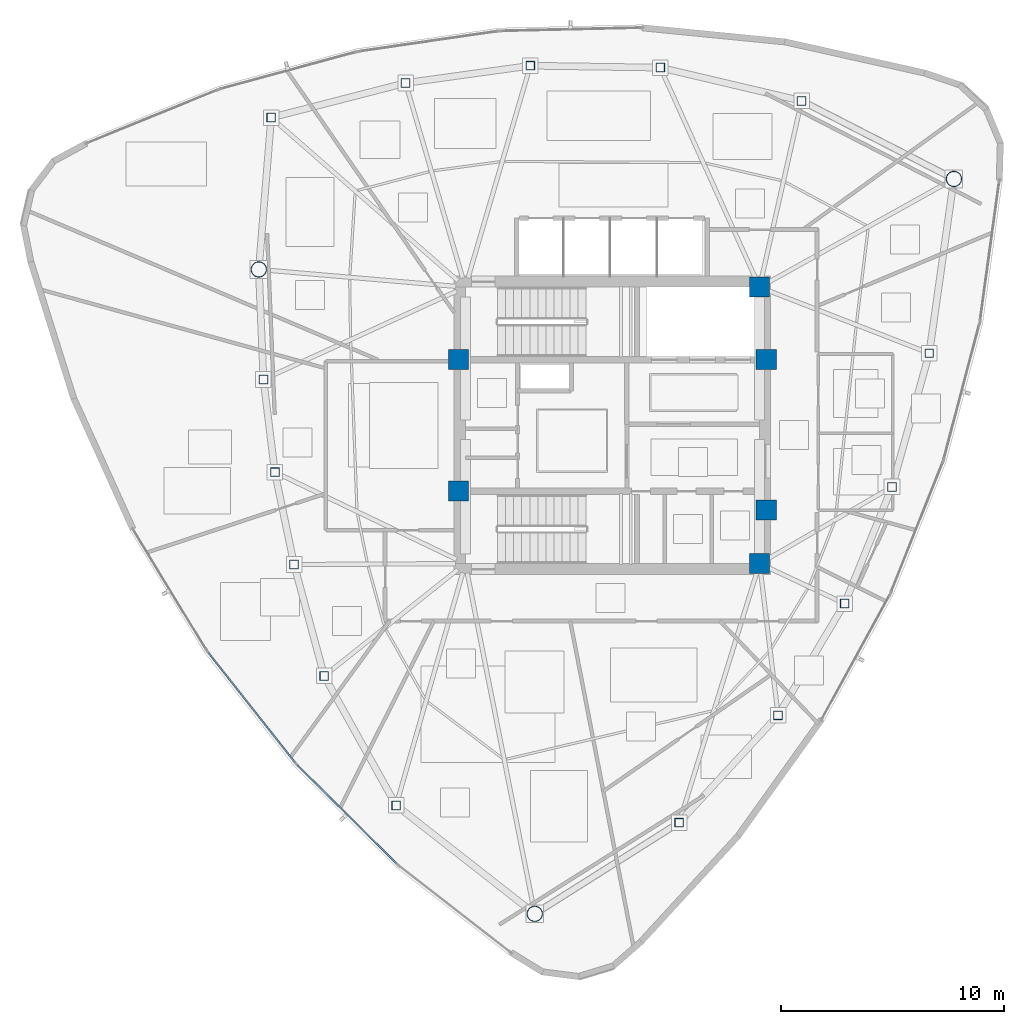
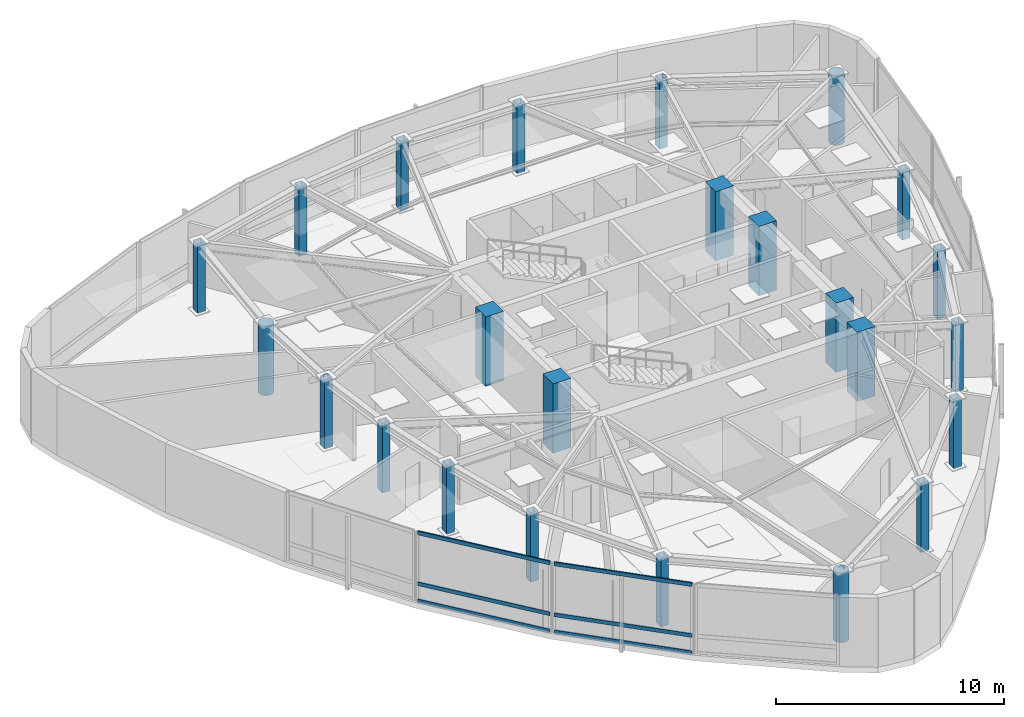
# One storey, part 1 of 12: 24 columns, 6 members, 2 elements without a shape of their own.
"""IFC4 building model written with IfcOpenShell, lengths in metres."""

from ifc_helpers import new_model, si_unit, direction, frame, origin, origin_2d, place, context, subcontext, project, spatial, rectangle, hollow_rectangle, hollow_circle, extrude, source, transform, mapped, material, layer, layer_set, material_profile, profile_set, type_object, type_shapes, element, aggregate, save


model = new_model("IFC4")

# Units and contexts
model_context = context("Model", 3, precision=1e-05, world=origin(), true_north=direction((0.0, 1.0)))
body_context = subcontext(model_context, "Body", "Model", "MODEL_VIEW")
ifc_project = project(units=[si_unit("LENGTHUNIT", "METRE"), si_unit("AREAUNIT", "SQUARE_METRE"), si_unit("VOLUMEUNIT", "CUBIC_METRE"), si_unit("PLANEANGLEUNIT", "RADIAN"), si_unit("MASSUNIT", "GRAM", prefix="KILO")], contexts=[model_context])

# Site, building, storey
site_placement = place(None, origin())
site = spatial("IfcSite", under=ifc_project, at=site_placement, CompositionType="ELEMENT")
building_placement = place(site_placement, origin())
building = spatial("IfcBuilding", under=site, at=building_placement, Name="Tavelor Broadcast Tower", CompositionType="ELEMENT")
storey_placement = place(building_placement, frame((0.0, 0.0, 317.5)))
storey = spatial("IfcBuildingStorey", under=building, at=storey_placement, Name="L76", CompositionType="ELEMENT", Elevation=317.5)

# Columns
ifc_material_1 = material(Name="Concrete C50/60", Category="concrete")
ifc_material_profile_1 = material_profile(ifc_material_1, rectangle(XDim=0.89990234375, YDim=0.89990234375, at=origin_2d()), Name="RC 900x900")
ifc_profile_set_1 = profile_set([ifc_material_profile_1], Name="Concrete C50/60")
column_type_1 = type_object("IfcColumnType", Name="Core Embedded Composite Column RC900", PredefinedType="COLUMN", material=ifc_profile_set_1)
for number, where, z_axis, x_axis, name in (
    (1, (43.10009765625, 47.949951171875, 0.0), (0.0, 0.0, 1.0), (1.0, 0.0, 0.0), "L76 Core Embedded Column 1"),
    (2, (56.89990234375, 47.949951171875, 0.0), (0.0, 0.0, 1.0), (1.0, 0.0, 0.0), "L76 Core Embedded Column 2"),
    (3, (56.60009765625, 51.199951171875, 0.0), (0.0, 0.0, 1.0), (1.0, 0.0, 0.0), "L76 Core Embedded Column 3"),
    (4, (43.10009765625, 42.050048828125, 0.0), (0.0, 0.0, 1.0), (1.0, 0.0, 0.0), "L76 Core Embedded Column 4"),
    (5, (56.89990234375, 41.199951171875, 0.0), (0.0, 0.0, 1.0), (1.0, 0.0, 0.0), "L76 Core Embedded Column 5"),
    (6, (56.60009765625, 38.800048828125, 0.0), (0.0, 0.0, 1.0), (1.0, 0.0, 0.0), "L76 Core Embedded Column 6"),
):
    element("IfcColumn", number, at=place(storey_placement, frame(where, z_axis=z_axis, x_axis=x_axis)), inside=storey, type_object=column_type_1, Name=name, PredefinedType="COLUMN", context=body_context, shape_type="SweptSolid", body=[
        extrude(rectangle(XDim=0.89990234375, YDim=0.89990234375, at=origin_2d()), origin(), (0.0, 0.0, 1.0), 3.699951171875),
    ])
ifc_material_2 = material(Name="Steel S460", Category="steel")
ifc_material_profile_2 = material_profile(ifc_material_2, hollow_rectangle(XDim=0.39990234375, YDim=0.39990234375, WallThickness=0.02490234375, at=origin_2d()), Name="SHS 400x400x25")
ifc_profile_set_2 = profile_set([ifc_material_profile_2], Name="Steel S460")
column_type_2 = type_object("IfcColumnType", Name="Perimeter Tube Column T8 SHS 400x400x25", PredefinedType="COLUMN", material=ifc_profile_set_2)
for number, where, z_axis, x_axis, name in (
    (7, (34.341552734375, 47.061279296875, 0.0), (0.0, 0.0, 1.0), (1.0, 0.0, 0.0), "L76 Perimeter Framed-Tube Column 02"),
    (8, (34.85400390625, 42.90185546875, 0.0), (0.0, 0.0, 1.0), (1.0, 0.0, 0.0), "L76 Perimeter Framed-Tube Column 03"),
    (9, (35.716552734375, 38.757080078125, 0.0), (0.0, 0.0, 1.0), (1.0, 0.0, 0.0), "L76 Perimeter Framed-Tube Column 04"),
    (10, (37.068115234375, 33.759521484375, 0.0), (0.0, 0.0, 1.0), (1.0, 0.0, 0.0), "L76 Perimeter Framed-Tube Column 05"),
    (11, (40.29638671875, 27.95361328125, 0.0), (0.0, 0.0, 1.0), (1.0, 0.0, 0.0), "L76 Perimeter Framed-Tube Column 06"),
    (12, (52.992919921875, 27.1767578125, 0.0), (0.0, 0.0, 1.0), (1.0, 0.0, 0.0), "L76 Perimeter Framed-Tube Column 08"),
    (13, (57.431396484375, 31.9921875, 0.0), (0.0, 0.0, 1.0), (1.0, 0.0, 0.0), "L76 Perimeter Framed-Tube Column 09"),
    (14, (60.41748046875, 37.00439453125, 0.0), (0.0, 0.0, 1.0), (1.0, 0.0, 0.0), "L76 Perimeter Framed-Tube Column 10"),
    (15, (62.543701171875, 42.240478515625, 0.0), (0.0, 0.0, 1.0), (1.0, 0.0, 0.0), "L76 Perimeter Framed-Tube Column 11"),
    (16, (64.21435546875, 48.2373046875, 0.0), (0.0, 0.0, 1.0), (1.0, 0.0, 0.0), "L76 Perimeter Framed-Tube Column 12"),
    (17, (58.485595703125, 59.55712890625, 0.0), (0.0, 0.0, 1.0), (1.0, 0.0, 0.0), "L76 Perimeter Framed-Tube Column 14"),
    (18, (52.147216796875, 61.05078125, 0.0), (0.0, 0.0, 1.0), (1.0, 0.0, 0.0), "L76 Perimeter Framed-Tube Column 15"),
    (19, (46.3154296875, 61.13720703125, 0.0), (0.0, 0.0, 1.0), (1.0, 0.0, 0.0), "L76 Perimeter Framed-Tube Column 16"),
    (20, (40.718017578125, 60.36083984375, 0.0), (0.0, 0.0, 1.0), (1.0, 0.0, 0.0), "L76 Perimeter Framed-Tube Column 17"),
    (21, (34.689208984375, 58.80908203125, 0.0), (0.0, 0.0, 1.0), (1.0, 0.0, 0.0), "L76 Perimeter Framed-Tube Column 18"),
):
    element("IfcColumn", number, at=place(storey_placement, frame(where, z_axis=z_axis, x_axis=x_axis)), inside=storey, type_object=column_type_2, Name=name, PredefinedType="COLUMN", context=body_context, shape_type="SweptSolid", body=[
        extrude(hollow_rectangle(XDim=0.39990234375, YDim=0.39990234375, WallThickness=0.02490234375, at=origin_2d()), origin(), (0.0, 0.0, 1.0), 3.699951171875),
    ])
ifc_material_profile_3 = material_profile(ifc_material_2, hollow_circle(Radius=0.35546875, WallThickness=0.031982421875, at=origin_2d()), Name="CHS 711x32")
ifc_profile_set_3 = profile_set([ifc_material_profile_3], Name="Steel S460")
column_type_3 = type_object("IfcColumnType", Name="Tower Mega Column T8 CHS 711x32", PredefinedType="COLUMN", material=ifc_profile_set_3)
for number, where, z_axis, x_axis, name in (
    (22, (34.134765625, 51.995849609375, 0.0), (0.0, 0.0, 1.0), (1.0, 0.0, 0.0), "L76 Tower Corner Mega Column 01"),
    (23, (46.5146484375, 23.08740234375, 0.0), (0.0, 0.0, 1.0), (1.0, 0.0, 0.0), "L76 Tower Corner Mega Column 07"),
    (24, (65.319580078125, 56.0556640625, 0.0), (0.0, 0.0, 1.0), (1.0, 0.0, 0.0), "L76 Tower Corner Mega Column 13"),
):
    element("IfcColumn", number, at=place(storey_placement, frame(where, z_axis=z_axis, x_axis=x_axis)), inside=storey, type_object=column_type_3, Name=name, PredefinedType="COLUMN", context=body_context, shape_type="SweptSolid", body=[
        extrude(hollow_circle(Radius=0.35546875, WallThickness=0.031982421875, at=origin_2d()), origin(), (0.0, 0.0, 1.0), 3.699951171875),
    ])

# Curtain wall, members
ifc_material_3 = material(Name="Architectural Anodized Aluminium", Category="aluminium")
ifc_layer = layer(ifc_material_3, 0.199951171875)
ifc_layer_set = layer_set([ifc_layer], Name="Architectural Anodized Aluminium")
curtain_wall_type = type_object("IfcCurtainWallType", Name="Tower High-Zone Triple-Glazed Curtain Wall CW04", PredefinedType="NOTDEFINED", material=ifc_layer_set)
curtain_wall_1_placement = place(storey_placement, origin())
curtain_wall_1 = element("IfcCurtainWall", 25, at=curtain_wall_1_placement, inside=storey, type_object=curtain_wall_type, Name="L76 Curtain Wall CW04 Run 842", PredefinedType="NOTDEFINED")
ifc_material_profile_4 = material_profile(ifc_material_3, hollow_rectangle(XDim=0.070068359375, YDim=0.199951171875, WallThickness=0.02197265625, at=origin_2d()), Name="RHS 70x200x22")
ifc_profile_set_4 = profile_set([ifc_material_profile_4], Name="Architectural Anodized Aluminium")
member_type = type_object("IfcMemberType", Name="CW04 Extruded Aluminium Transom 70x200", PredefinedType="USERDEFINED", material=ifc_profile_set_4)
shared_shape = source(origin(), body_context, "Body", "SweptSolid", [
    extrude(hollow_rectangle(XDim=0.070068359375, YDim=0.199951171875, WallThickness=0.02197265625, at=origin_2d()), origin(), (0.0, 0.0, 1.0), 6.25927734375),
])
type_shapes(member_type, [shared_shape])
member_1_placement = place(storey_placement, frame((31.87353515625, 34.800537109375, 0.034912109375), z_axis=(0.619434333033, -0.785048474338, 0.0), x_axis=(0.785048474338, 0.619434333033, 0.0)))
member_1 = element("IfcMember", 26, at=member_1_placement, type_object=member_type, Name="CW04 transom 1.1", ObjectType="TRANSOM", PredefinedType="USERDEFINED", context=body_context, shape_type="MappedRepresentation", body=[
    mapped(shared_shape, transform((0.0, 0.0, 0.0), scale=1.0)),
])
member_2_placement = place(storey_placement, frame((31.87353515625, 34.800537109375, 0.949951171875), z_axis=(0.619434333033, -0.785048474338, 0.0), x_axis=(0.785048474338, 0.619434333033, 0.0)))
member_2 = element("IfcMember", 27, at=member_2_placement, type_object=member_type, Name="CW04 transom 1.2", ObjectType="TRANSOM", PredefinedType="USERDEFINED", context=body_context, shape_type="MappedRepresentation", body=[
    mapped(shared_shape, transform((0.0, 0.0, 0.0), scale=1.0)),
])
member_3_placement = place(storey_placement, frame((31.87353515625, 34.800537109375, 3.6650390625), z_axis=(0.619434333033, -0.785048474338, 0.0), x_axis=(0.785048474338, 0.619434333033, 0.0)))
member_3 = element("IfcMember", 28, at=member_3_placement, type_object=member_type, Name="CW04 transom 1.3", ObjectType="TRANSOM", PredefinedType="USERDEFINED", context=body_context, shape_type="MappedRepresentation", body=[
    mapped(shared_shape, transform((0.0, 0.0, 0.0), scale=1.0)),
])
aggregate(curtain_wall_1, [member_1, member_2, member_3])

curtain_wall_2_placement = place(storey_placement, origin())
curtain_wall_2 = element("IfcCurtainWall", 29, at=curtain_wall_2_placement, inside=storey, type_object=curtain_wall_type, Name="L76 Curtain Wall CW04 Run 843", PredefinedType="NOTDEFINED")
member_4_placement = place(storey_placement, frame((35.864013671875, 29.760009765625, 0.034912109375), z_axis=(0.709870633994, -0.704332082894, 0.0), x_axis=(0.704332082894, 0.709870633994, 0.0)))
member_4 = element("IfcMember", 30, at=member_4_placement, type_object=member_type, Name="CW04 transom 1.1", ObjectType="TRANSOM", PredefinedType="USERDEFINED", context=body_context, shape_type="MappedRepresentation", body=[
    mapped(shared_shape, transform((0.0, 0.0, 0.0), scale=1.0)),
])
member_5_placement = place(storey_placement, frame((35.864013671875, 29.760009765625, 0.949951171875), z_axis=(0.709870633994, -0.704332082894, 0.0), x_axis=(0.704332082894, 0.709870633994, 0.0)))
member_5 = element("IfcMember", 31, at=member_5_placement, type_object=member_type, Name="CW04 transom 1.2", ObjectType="TRANSOM", PredefinedType="USERDEFINED", context=body_context, shape_type="MappedRepresentation", body=[
    mapped(shared_shape, transform((0.0, 0.0, 0.0), scale=1.0)),
])
member_6_placement = place(storey_placement, frame((35.864013671875, 29.760009765625, 3.6650390625), z_axis=(0.709870633994, -0.704332082894, 0.0), x_axis=(0.704332082894, 0.709870633994, 0.0)))
member_6 = element("IfcMember", 32, at=member_6_placement, type_object=member_type, Name="CW04 transom 1.3", ObjectType="TRANSOM", PredefinedType="USERDEFINED", context=body_context, shape_type="MappedRepresentation", body=[
    mapped(shared_shape, transform((0.0, 0.0, 0.0), scale=1.0)),
])
aggregate(curtain_wall_2, [member_4, member_5, member_6])

save(model, "model.ifc")
